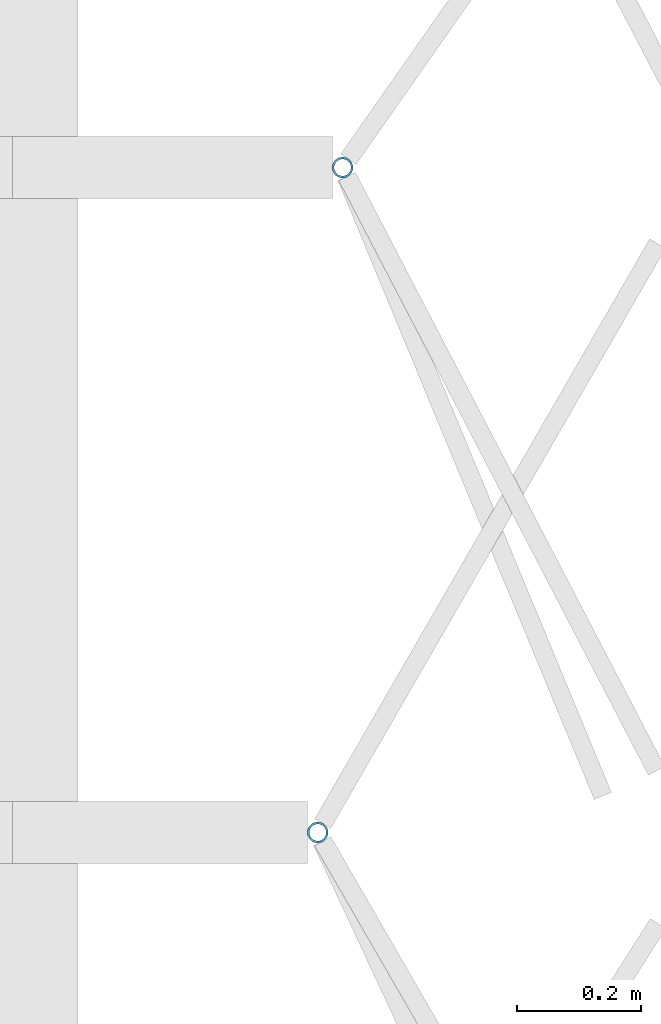
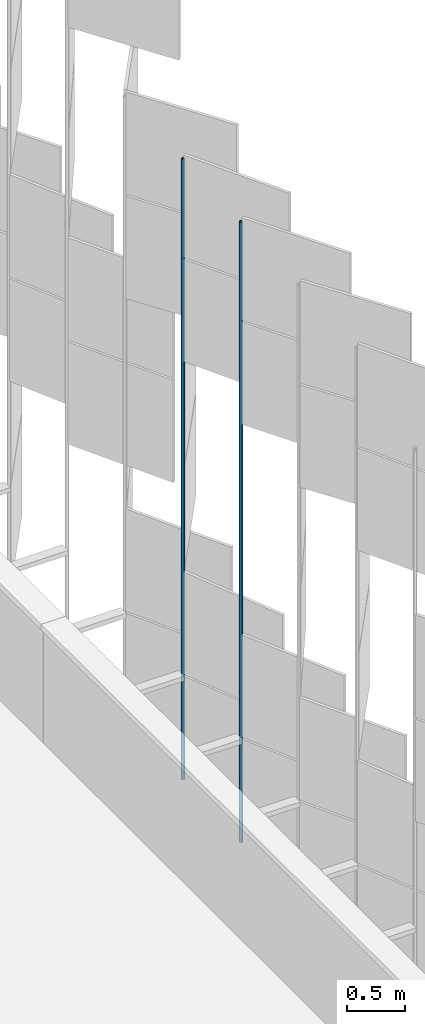
# One storey, part 278 of 483: 2 discrete accessories.
"""IFC4 building model written with IfcOpenShell, lengths in metres."""

from ifc_helpers import new_model, si_unit, direction, frame, origin, origin_2d, place, context, subcontext, project, spatial, hollow_circle, extrude, material, material_profile, profile_set, type_object, element, save


model = new_model("IFC4")

# Units and contexts
model_context = context("Model", 3, precision=1e-05, world=origin(), true_north=direction((0.0, 1.0)))
body_context = subcontext(model_context, "Body", "Model", "MODEL_VIEW")
ifc_project = project(units=[si_unit("LENGTHUNIT", "METRE"), si_unit("AREAUNIT", "SQUARE_METRE"), si_unit("VOLUMEUNIT", "CUBIC_METRE"), si_unit("PLANEANGLEUNIT", "RADIAN"), si_unit("MASSUNIT", "GRAM", prefix="KILO")], contexts=[model_context])

# Site, building, storey
site_placement = place(None, origin())
site = spatial("IfcSite", under=ifc_project, at=site_placement, CompositionType="ELEMENT")
building_placement = place(site_placement, origin())
building = spatial("IfcBuilding", under=site, at=building_placement, Name="Parallax Yard Mobility Hub", CompositionType="ELEMENT")
storey_placement = place(building_placement, frame((0.0, 0.0, 13.199951171875)))
storey = spatial("IfcBuildingStorey", under=building, at=storey_placement, Name="L04", CompositionType="ELEMENT", Elevation=13.199951171875)

# Discrete accessories
ifc_material = material(Name="Steel ASTM A500 Gr C, hot-dip galvanised", Category="steel")
ifc_material_profile = material_profile(ifc_material, hollow_circle(Radius=0.016845703125, WallThickness=0.003173828125, at=origin_2d()), Name="CHS 33.7x3.2")
ifc_profile_set = profile_set([ifc_material_profile], Name="Steel ASTM A500 Gr C, hot-dip galvanised")
discrete_accessory_type = type_object("IfcDiscreteAccessoryType", Name="Hinge post CHS 33.7x3.2", PredefinedType="BRACKET", material=ifc_profile_set)
for number, where, z_axis, x_axis, name in (
    (1, (225.4912109375, 80.356689453125, 0.0), (0.0, 0.0, 1.0), (1.0, 0.0, 0.0), "Hinge post bay 39.6 level L04"),
    (2, (225.53125, 81.4287109375, 0.0), (0.0, 0.0, 1.0), (1.0, 0.0, 0.0), "Hinge post bay 39.7 level L04"),
):
    element("IfcDiscreteAccessory", number, at=place(storey_placement, frame(where, z_axis=z_axis, x_axis=x_axis)), inside=storey, type_object=discrete_accessory_type, Name=name, PredefinedType="BRACKET", context=body_context, shape_type="SweptSolid", body=[
        extrude(hollow_circle(Radius=0.016845703125, WallThickness=0.003173828125, at=origin_2d()), origin(), (0.0, 0.0, 1.0), 6.550048828125),
    ])

save(model, "model.ifc")
